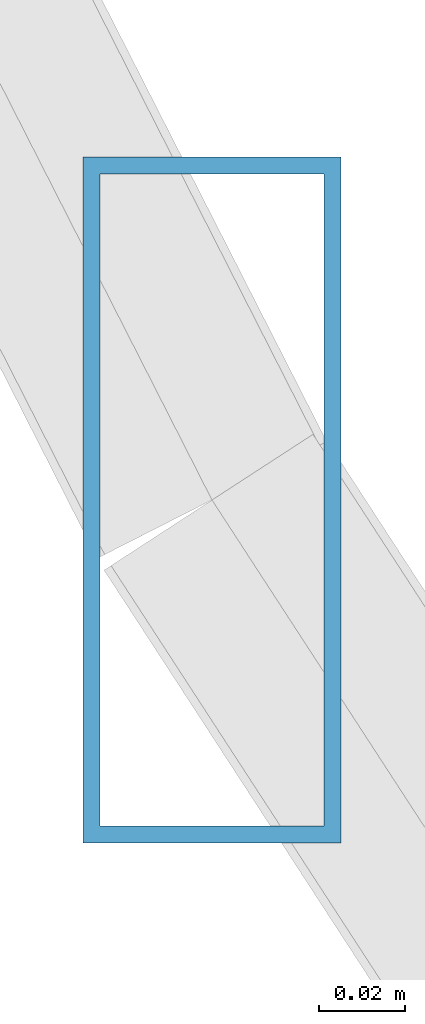
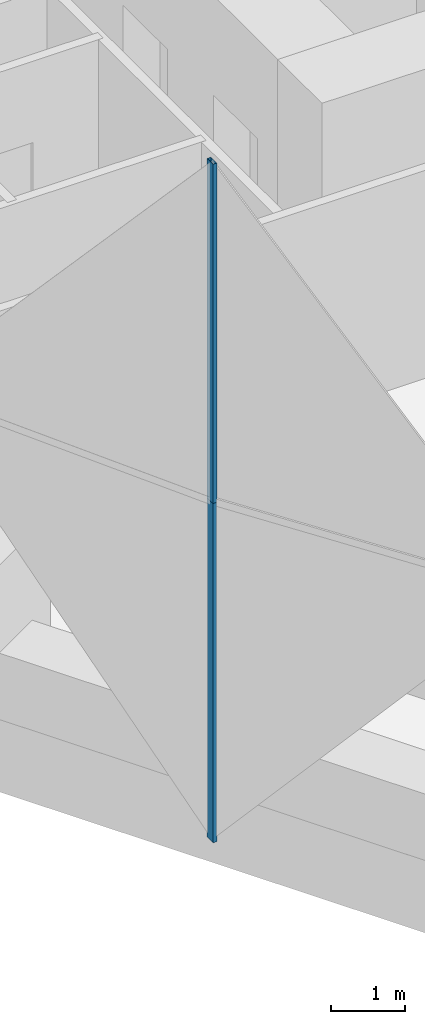
# One storey, part 7 of 35: 2 members, 1 element without a shape of its own.
"""IFC4 building model written with IfcOpenShell, lengths in metres."""

from ifc_helpers import new_model, si_unit, direction, frame, origin, origin_2d, place, context, subcontext, project, spatial, hollow_rectangle, extrude, material, material_profile, profile_set, type_object, element, aggregate, save


model = new_model("IFC4")

# Units and contexts
model_context = context("Model", 3, precision=1e-05, world=origin(), true_north=direction((0.0, 1.0)))
body_context = subcontext(model_context, "Body", "Model", "MODEL_VIEW")
ifc_project = project(units=[si_unit("LENGTHUNIT", "METRE"), si_unit("AREAUNIT", "SQUARE_METRE"), si_unit("VOLUMEUNIT", "CUBIC_METRE"), si_unit("PLANEANGLEUNIT", "RADIAN"), si_unit("MASSUNIT", "GRAM", prefix="KILO")], contexts=[model_context])

# Site, building, storey
site_placement = place(None, origin())
site = spatial("IfcSite", under=ifc_project, at=site_placement, CompositionType="ELEMENT")
building_placement = place(site_placement, origin())
building = spatial("IfcBuilding", under=site, at=building_placement, Name="Ostrander Bayou Hotel Tower", CompositionType="ELEMENT")
storey_placement = place(building_placement, frame((0.0, 0.0, 69.25)))
storey = spatial("IfcBuildingStorey", under=building, at=storey_placement, Name="L17", CompositionType="ELEMENT", Elevation=69.25)

# Curtain wall, members
ifc_material_1 = material(Name="Aluminium and clear glass", Category="aluminium")
curtain_wall_type = type_object("IfcCurtainWallType", Name="CW-LAT lattice glazing", PredefinedType="NOTDEFINED", material=ifc_material_1)
curtain_wall_placement = place(storey_placement, origin())
curtain_wall = element("IfcCurtainWall", 1, at=curtain_wall_placement, inside=storey, type_object=curtain_wall_type, Name="CW-LAT L17 SW 1", PredefinedType="NOTDEFINED")
ifc_material_2 = material(Name="Aluminium", Category="aluminium")
ifc_material_profile = material_profile(ifc_material_2, hollow_rectangle(XDim=0.06005859375, YDim=0.159912109375, WallThickness=0.00390625, at=origin_2d()))
ifc_profile_set = profile_set([ifc_material_profile], Name="Aluminium")
member_type = type_object("IfcMemberType", Name="CW-LA mullion 60 x 160 mm", PredefinedType="MULLION", material=ifc_profile_set)
member_1_placement = place(storey_placement, frame((-19.11328125, -11.034912109375, -0.60009765625), z_axis=(0.0, 0.0, 1.0), x_axis=(1.0, 0.0, 0.0)))
member_1 = element("IfcMember", 2, at=member_1_placement, type_object=member_type, Name="CW-LAT mullion 4", PredefinedType="MULLION", context=body_context, shape_type="SweptSolid", body=[
    extrude(hollow_rectangle(XDim=0.06005859375, YDim=0.159912109375, WallThickness=0.00390625, at=origin_2d()), origin(), (0.0, 0.0, 1.0), 5.625),
])
member_2_placement = place(storey_placement, frame((-19.11328125, -11.034912109375, 5.02490234375), z_axis=(0.0, 0.0, 1.0), x_axis=(1.0, 0.0, 0.0)))
member_2 = element("IfcMember", 3, at=member_2_placement, type_object=member_type, Name="CW-LAT mullion 5", PredefinedType="MULLION", context=body_context, shape_type="SweptSolid", body=[
    extrude(hollow_rectangle(XDim=0.06005859375, YDim=0.159912109375, WallThickness=0.00390625, at=origin_2d()), origin(), (0.0, 0.0, 1.0), 5.625),
])
aggregate(curtain_wall, [member_1, member_2])

save(model, "model.ifc")
